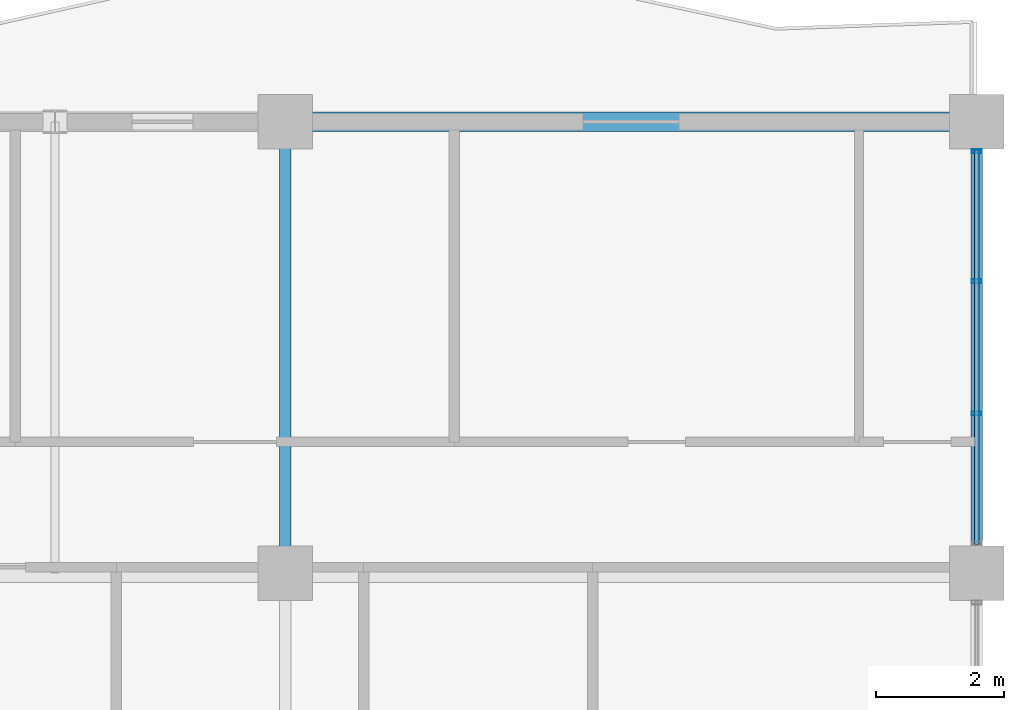
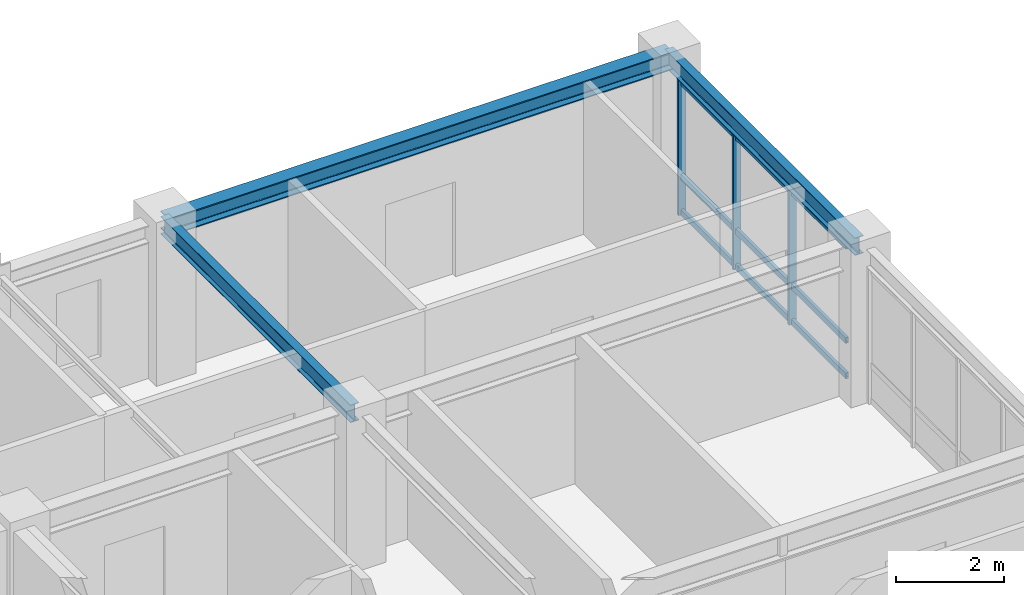
# One storey, part 4 of 10: 6 members, 3 beams, 1 element without a shape of its own.
"""IFC4 building model written with IfcOpenShell, lengths in metres."""

from ifc_helpers import new_model, si_unit, direction, frame, origin, origin_2d, place, context, subcontext, project, spatial, hollow_rectangle, i_section, extrude, source, transform, mapped, material, layer, layer_set, material_profile, profile_set, type_object, element, aggregate, save


model = new_model("IFC4")

# Units and contexts
model_context = context("Model", 3, precision=1e-05, world=origin(), true_north=direction((0.0, 1.0)))
body_context = subcontext(model_context, "Body", "Model", "MODEL_VIEW")
ifc_project = project(units=[si_unit("LENGTHUNIT", "METRE"), si_unit("AREAUNIT", "SQUARE_METRE"), si_unit("VOLUMEUNIT", "CUBIC_METRE"), si_unit("PLANEANGLEUNIT", "RADIAN"), si_unit("MASSUNIT", "GRAM", prefix="KILO")], contexts=[model_context])

# Site, building, storey
site_placement = place(None, origin())
site = spatial("IfcSite", under=ifc_project, at=site_placement, CompositionType="ELEMENT")
building_placement = place(site_placement, origin())
building = spatial("IfcBuilding", under=site, at=building_placement, Name="Kaliganga Portal Commons", CompositionType="ELEMENT")
storey_placement = place(building_placement, frame((0.0, 0.0, 286.89990234375)))
storey = spatial("IfcBuildingStorey", under=building, at=storey_placement, Name="L74", CompositionType="ELEMENT", Elevation=286.89990234375)

# Beams
ifc_material_1 = material(Name="Structural steel S355J2", Category="steel")
ifc_material_profile_1 = material_profile(ifc_material_1, i_section(OverallWidth=0.300048828125, OverallDepth=0.39990234375, WebThickness=0.013427734375, FlangeThickness=0.02392578125, FilletRadius=0.027099609375, at=origin_2d()), Name="HE 400 B")
ifc_profile_set_1 = profile_set([ifc_material_profile_1], Name="Structural steel S355J2 wide-flange")
beam_type_1 = type_object("IfcBeamType", Name="BM-SPAND-400", PredefinedType="SPANDREL", material=ifc_profile_set_1)
shared_shape_1 = source(origin(), body_context, "Body", "SweptSolid", [
    extrude(i_section(OverallWidth=0.300048828125, OverallDepth=0.39990234375, WebThickness=0.013427734375, FlangeThickness=0.02392578125, FilletRadius=0.027099609375, at=origin_2d()), origin(), (0.0, 0.0, 1.0), 10.800048828125),
])
beam_placement = place(storey_placement, frame((36.0, 43.199951171875, 3.275146484375), z_axis=(1.0, 0.0, 0.0), x_axis=(0.0, 1.0, 0.0)))
element("IfcBeam", 1, at=beam_placement, inside=storey, type_object=beam_type_1, Name="BM SP L74 AN 7", PredefinedType="SPANDREL", context=body_context, shape_type="MappedRepresentation", body=[
    mapped(shared_shape_1, transform((0.0, 0.0, 0.0), x_axis=(1.0, 0.0, 0.0), y_axis=(0.0, 1.0, 0.0), z_axis=(0.0, 0.0, 1.0), scale=1.0)),
])
ifc_material_profile_2 = material_profile(ifc_material_1, i_section(OverallWidth=0.179931640625, OverallDepth=0.39990234375, WebThickness=0.008544921875, FlangeThickness=0.013427734375, FilletRadius=0.02099609375, at=origin_2d()), Name="IPE 400")
ifc_profile_set_2 = profile_set([ifc_material_profile_2], Name="Structural steel S355J2 wide-flange")
beam_type_2 = type_object("IfcBeamType", Name="BM-FLR-400", PredefinedType="BEAM", material=ifc_profile_set_2)
shared_shape_2 = source(origin(), body_context, "Body", "SweptSolid", [
    extrude(i_section(OverallWidth=0.179931640625, OverallDepth=0.39990234375, WebThickness=0.008544921875, FlangeThickness=0.013427734375, FilletRadius=0.02099609375, at=origin_2d()), origin(), (0.0, 0.0, 1.0), 7.050048828125),
])
for number, where, z_axis, x_axis, name in (
    (2, (36.0, 36.14990234375, 3.275146484375), (0.0, 1.0, 0.0), (-1.0, 0.0, 0.0), "BM G L74 AN360"),
    (3, (46.800048828125, 36.14990234375, 3.275146484375), (0.0, 1.0, 0.0), (-1.0, 0.0, 0.0), "BM G L74 AN468"),
):
    element("IfcBeam", number, at=place(storey_placement, frame(where, z_axis=z_axis, x_axis=x_axis)), inside=storey, type_object=beam_type_2, Name=name, PredefinedType="BEAM", context=body_context, shape_type="MappedRepresentation", body=[
        mapped(shared_shape_2, transform((0.0, 0.0, 0.0), x_axis=(1.0, 0.0, 0.0), y_axis=(0.0, 1.0, 0.0), z_axis=(0.0, 0.0, 1.0), scale=1.0)),
    ])

# Curtain wall, members
ifc_material_2 = material(Name="Anodized Aluminium and Laminated Low-E Glass", Category="aluminium")
ifc_layer = layer(ifc_material_2, 0.18994140625)
ifc_layer_set = layer_set([ifc_layer], Name="Anodized Aluminium and Laminated Low-E Glass")
curtain_wall_type = type_object("IfcCurtainWallType", Name="CW-SYS-05", PredefinedType="NOTDEFINED", material=ifc_layer_set)
curtain_wall_placement = place(storey_placement, origin())
curtain_wall = element("IfcCurtainWall", 4, at=curtain_wall_placement, inside=storey, type_object=curtain_wall_type, Name="CW 05 L74 P1E01S3", PredefinedType="NOTDEFINED")
ifc_material_3 = material(Name="Dark Bronze Anodized Aluminium", Category="aluminium")
ifc_material_profile_3 = material_profile(ifc_material_3, hollow_rectangle(XDim=0.06494140625, YDim=0.135009765625, WallThickness=0.00341796875, at=origin_2d()), Name="ALU TRAN 65x135x3.5")
ifc_profile_set_3 = profile_set([ifc_material_profile_3], Name="Dark Bronze Anodized Aluminium")
member_type_1 = type_object("IfcMemberType", Name="CW-TRN-135", PredefinedType="USERDEFINED", material=ifc_profile_set_3)
shared_shape_3 = source(origin(), body_context, "Body", "SweptSolid", [
    extrude(hollow_rectangle(XDim=0.06494140625, YDim=0.135009765625, WallThickness=0.00341796875, at=origin_2d()), origin(), (0.0, 0.0, 1.0), 6.157958984375),
])
member_1_placement = place(storey_placement, frame((46.800048828125, 36.595947265625, 0.06005859375), z_axis=(0.0, 1.0, 0.0), x_axis=(-1.0, 0.0, 0.0)))
member_1 = element("IfcMember", 5, at=member_1_placement, type_object=member_type_1, Name="CW:05:L74:P1E01S3 Transom 1", ObjectType="TRANSOM", PredefinedType="USERDEFINED", context=body_context, shape_type="MappedRepresentation", body=[
    mapped(shared_shape_3, transform((0.0, 0.0, 0.0), x_axis=(1.0, 0.0, 0.0), y_axis=(0.0, 1.0, 0.0), z_axis=(0.0, 0.0, 1.0), scale=1.0)),
])
member_2_placement = place(storey_placement, frame((46.800048828125, 36.595947265625, 0.861083984375), z_axis=(0.0, 1.0, 0.0), x_axis=(-1.0, 0.0, 0.0)))
member_2 = element("IfcMember", 6, at=member_2_placement, type_object=member_type_1, Name="CW:05:L74:P1E01S3 Transom 2", ObjectType="TRANSOM", PredefinedType="USERDEFINED", context=body_context, shape_type="MappedRepresentation", body=[
    mapped(shared_shape_3, transform((0.0, 0.0, 0.0), x_axis=(1.0, 0.0, 0.0), y_axis=(0.0, 1.0, 0.0), z_axis=(0.0, 0.0, 1.0), scale=1.0)),
])
member_3_placement = place(storey_placement, frame((46.800048828125, 36.595947265625, 2.9951171875), z_axis=(0.0, 1.0, 0.0), x_axis=(-1.0, 0.0, 0.0)))
member_3 = element("IfcMember", 7, at=member_3_placement, type_object=member_type_1, Name="CW:05:L74:P1E01S3 Transom 3", ObjectType="TRANSOM", PredefinedType="USERDEFINED", context=body_context, shape_type="MappedRepresentation", body=[
    mapped(shared_shape_3, transform((0.0, 0.0, 0.0), x_axis=(1.0, 0.0, 0.0), y_axis=(0.0, 1.0, 0.0), z_axis=(0.0, 0.0, 1.0), scale=1.0)),
])
ifc_material_profile_4 = material_profile(ifc_material_3, hollow_rectangle(XDim=0.06005859375, YDim=0.159912109375, WallThickness=0.00341796875, at=origin_2d()), Name="ALU MULL 60x160x3.5")
ifc_profile_set_4 = profile_set([ifc_material_profile_4], Name="Dark Bronze Anodized Aluminium")
member_type_2 = type_object("IfcMemberType", Name="CW-MUL-160", PredefinedType="MULLION", material=ifc_profile_set_4)
shared_shape_4 = source(origin(), body_context, "Body", "SweptSolid", [
    extrude(hollow_rectangle(XDim=0.06005859375, YDim=0.159912109375, WallThickness=0.00341796875, at=origin_2d()), origin(), (0.0, 0.0, 1.0), 3.0751953125),
])
member_4_placement = place(storey_placement, frame((46.800048828125, 38.64208984375, 0.0), z_axis=(0.0, 0.0, 1.0), x_axis=(0.0, 1.0, 0.0)))
member_4 = element("IfcMember", 8, at=member_4_placement, type_object=member_type_2, Name="CW:05:L74:P1E01S3 Mullion 01", PredefinedType="MULLION", context=body_context, shape_type="MappedRepresentation", body=[
    mapped(shared_shape_4, transform((0.0, 0.0, 0.0), x_axis=(1.0, 0.0, 0.0), y_axis=(0.0, 1.0, 0.0), z_axis=(0.0, 0.0, 1.0), scale=1.0)),
])
member_5_placement = place(storey_placement, frame((46.800048828125, 40.7080078125, 0.0), z_axis=(0.0, 0.0, 1.0), x_axis=(0.0, 1.0, 0.0)))
member_5 = element("IfcMember", 9, at=member_5_placement, type_object=member_type_2, Name="CW:05:L74:P1E01S3 Mullion 02", PredefinedType="MULLION", context=body_context, shape_type="MappedRepresentation", body=[
    mapped(shared_shape_4, transform((0.0, 0.0, 0.0), x_axis=(1.0, 0.0, 0.0), y_axis=(0.0, 1.0, 0.0), z_axis=(0.0, 0.0, 1.0), scale=1.0)),
])
member_6_placement = place(storey_placement, frame((46.800048828125, 42.739013671875, 0.0), z_axis=(0.0, 0.0, 1.0), x_axis=(0.0, 1.0, 0.0)))
member_6 = element("IfcMember", 10, at=member_6_placement, type_object=member_type_2, Name="CW:05:L74:P1E01S3 Mullion 03", PredefinedType="MULLION", context=body_context, shape_type="MappedRepresentation", body=[
    mapped(shared_shape_4, transform((0.0, 0.0, 0.0), x_axis=(1.0, 0.0, 0.0), y_axis=(0.0, 1.0, 0.0), z_axis=(0.0, 0.0, 1.0), scale=1.0)),
])
aggregate(curtain_wall, [member_4, member_5, member_6, member_1, member_2, member_3])

save(model, "model.ifc")
